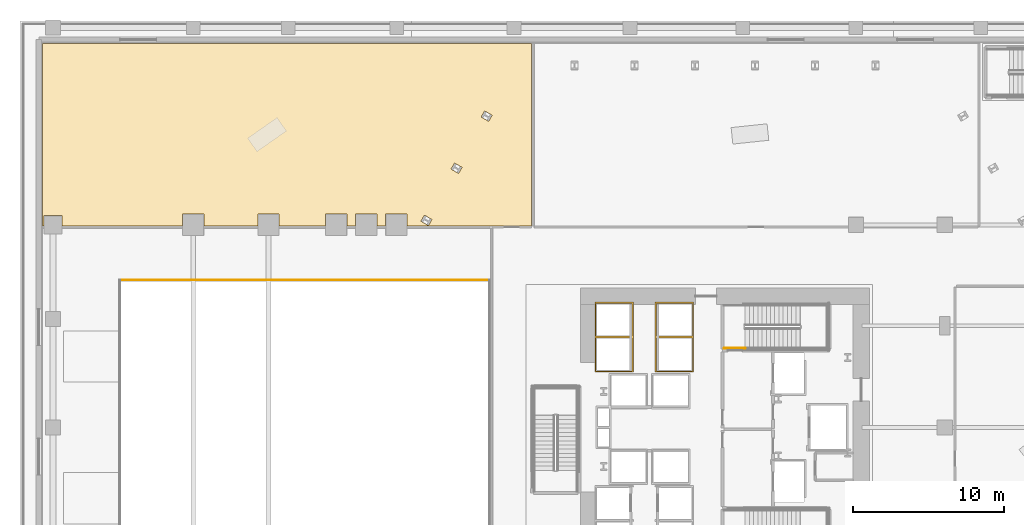
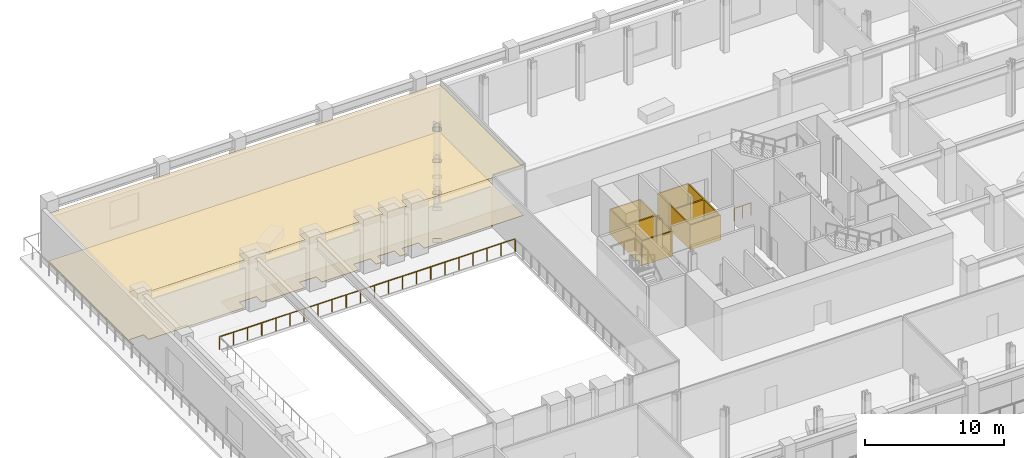
# One storey, part 15 of 19: 4 coverings, 2 railings.
"""IFC4 building model written with IfcOpenShell, lengths in metres."""

from ifc_helpers import new_model, si_unit, direction, frame, origin, origin_2d, place, context, subcontext, project, spatial, polyline, circle, outline, extrude, material, layer, layer_set, type_object, element, save


model = new_model("IFC4")

# Units and contexts
model_context = context("Model", 3, precision=1e-05, world=origin(), true_north=direction((0.0, 1.0)))
body_context = subcontext(model_context, "Body", "Model", "MODEL_VIEW")
ifc_project = project(units=[si_unit("LENGTHUNIT", "METRE"), si_unit("AREAUNIT", "SQUARE_METRE"), si_unit("VOLUMEUNIT", "CUBIC_METRE"), si_unit("PLANEANGLEUNIT", "RADIAN"), si_unit("MASSUNIT", "GRAM", prefix="KILO")], contexts=[model_context])

# Site, building, storey
site_placement = place(None, origin())
site = spatial("IfcSite", under=ifc_project, at=site_placement, CompositionType="ELEMENT")
building_placement = place(site_placement, origin())
building = spatial("IfcBuilding", under=site, at=building_placement, Name="Valkerne Bourse Tower", CompositionType="ELEMENT")
storey_placement = place(building_placement, frame((0.0, 0.0, 5.39990234375)))
storey = spatial("IfcBuildingStorey", under=building, at=storey_placement, Name="L01", CompositionType="ELEMENT", Elevation=5.39990234375)

# Coverings
ifc_material_1 = material(Name="Mineral Fiber Acoustic Ceiling Tile", Category="acoustic")
ifc_layer_1 = layer(ifc_material_1, 0.02490234375)
ifc_layer_set_1 = layer_set([ifc_layer_1], Name="Mineral Fiber Acoustic Ceiling Tile")
covering_type_1 = type_object("IfcCoveringType", Name="COV-CEIL-ACT", PredefinedType="CEILING", material=ifc_layer_set_1)
covering_1_placement = place(storey_placement, frame((0.0, 0.0, 4.210205078125)))
element("IfcCovering", 1, at=covering_1_placement, inside=storey, type_object=covering_type_1, Name="L01 Suspended Ceiling 12", PredefinedType="CEILING", context=body_context, shape_type="SweptSolid", body=[
    extrude(outline(polyline([(1.50390625, 52.49609375), (33.946044921875, 52.49609375), (33.946044921875, 40.384033203125), (25.69189453125, 40.384033203125), (25.69189453125, 41.154052734375), (24.283935546875, 41.154052734375), (24.283935546875, 40.384033203125), (23.695068359375, 40.384033203125), (23.695068359375, 41.154052734375), (22.287109375, 41.154052734375), (22.287109375, 40.384033203125), (21.696044921875, 40.384033203125), (21.696044921875, 41.154052734375), (20.2880859375, 41.154052734375), (20.2880859375, 40.384033203125), (17.2041015625, 40.384033203125), (17.2041015625, 41.154052734375), (15.7958984375, 41.154052734375), (15.7958984375, 40.384033203125), (12.2041015625, 40.384033203125), (12.2041015625, 41.154052734375), (10.7958984375, 41.154052734375), (10.7958984375, 40.384033203125), (2.803955078125, 40.384033203125), (2.803955078125, 41.053955078125), (1.595947265625, 41.053955078125), (1.595947265625, 40.384033203125), (1.50390625, 40.384033203125), (1.50390625, 52.49609375)]), holes=[polyline([(26.62109375, 40.690185546875), (27.12060546875, 40.40185546875), (27.35205078125, 40.802490234375), (26.852294921875, 41.091064453125), (26.62109375, 40.690185546875)]), polyline([(28.850341796875, 44.5517578125), (28.618896484375, 44.15087890625), (29.11865234375, 43.862548828125), (29.35009765625, 44.26318359375), (28.850341796875, 44.5517578125)]), polyline([(30.616943359375, 47.611572265625), (31.11669921875, 47.322998046875), (31.347900390625, 47.723876953125), (30.848388671875, 48.01220703125), (30.616943359375, 47.611572265625)])]), origin(), (0.0, 0.0, 1.0), 0.02490234375),
])
ifc_material_2 = material(Name="Galvanised Painted Steel", Category="steel")
ifc_layer_2 = layer(ifc_material_2, 0.044921875)
ifc_layer_set_2 = layer_set([ifc_layer_2], Name="Galvanised Painted Steel")
covering_type_2 = type_object("IfcCoveringType", Name="COV-FLR-RAF", PredefinedType="FLOORING", material=ifc_layer_set_2)
covering_2_placement = place(storey_placement, origin())
element("IfcCovering", 2, at=covering_2_placement, inside=storey, type_object=covering_type_2, Name="L01 Floor Finish 12", PredefinedType="FLOORING", context=body_context, shape_type="SweptSolid", body=[
    extrude(outline(polyline([(1.50390625, 52.49609375), (33.946044921875, 52.49609375), (33.946044921875, 40.384033203125), (25.69189453125, 40.384033203125), (25.69189453125, 41.154052734375), (24.283935546875, 41.154052734375), (24.283935546875, 40.384033203125), (23.695068359375, 40.384033203125), (23.695068359375, 41.154052734375), (22.287109375, 41.154052734375), (22.287109375, 40.384033203125), (21.696044921875, 40.384033203125), (21.696044921875, 41.154052734375), (20.2880859375, 41.154052734375), (20.2880859375, 40.384033203125), (17.2041015625, 40.384033203125), (17.2041015625, 41.154052734375), (15.7958984375, 41.154052734375), (15.7958984375, 40.384033203125), (12.2041015625, 40.384033203125), (12.2041015625, 41.154052734375), (10.7958984375, 41.154052734375), (10.7958984375, 40.384033203125), (2.803955078125, 40.384033203125), (2.803955078125, 41.053955078125), (1.595947265625, 41.053955078125), (1.595947265625, 40.384033203125), (1.50390625, 40.384033203125), (1.50390625, 52.49609375)]), holes=[polyline([(26.62109375, 40.690185546875), (27.12060546875, 40.40185546875), (27.35205078125, 40.802490234375), (26.852294921875, 41.091064453125), (26.62109375, 40.690185546875)]), polyline([(28.850341796875, 44.5517578125), (28.618896484375, 44.15087890625), (29.11865234375, 43.862548828125), (29.35009765625, 44.26318359375), (28.850341796875, 44.5517578125)]), polyline([(30.616943359375, 47.611572265625), (31.11669921875, 47.322998046875), (31.347900390625, 47.723876953125), (30.848388671875, 48.01220703125), (30.616943359375, 47.611572265625)])]), origin(), (0.0, 0.0, 1.0), 0.045166015625),
])
ifc_material_3 = material(Name="Gypsum Shaftwall Liner Board", Category="gypsum")
ifc_layer_3 = layer(ifc_material_3, 0.080078125)
ifc_layer_set_3 = layer_set([ifc_layer_3], Name="Gypsum Shaftwall Liner Board")
covering_type_3 = type_object("IfcCoveringType", Name="COV-SHF-CLAD", PredefinedType="CLADDING", material=ifc_layer_set_3)
covering_3_placement = place(storey_placement, origin())
element("IfcCovering", 3, at=covering_3_placement, inside=storey, type_object=covering_type_3, Name="L01 Hoistway & Riser Shaftwall Liner 05", PredefinedType="CLADDING", context=body_context, shape_type="SweptSolid", body=[
    extrude(outline(polyline([(38.169921875, 35.330078125), (40.72998046875, 35.330078125), (40.72998046875, 33.030029296875), (40.72998046875, 32.969970703125), (40.72998046875, 30.669921875), (38.169921875, 30.669921875), (38.169921875, 32.969970703125), (38.169921875, 33.030029296875), (38.169921875, 35.330078125)]), holes=[polyline([(38.260009765625, 32.93994140625), (38.260009765625, 30.760009765625), (40.639892578125, 30.760009765625), (40.639892578125, 32.93994140625), (38.260009765625, 32.93994140625)]), polyline([(38.260009765625, 35.239990234375), (38.260009765625, 33.06005859375), (40.639892578125, 33.06005859375), (40.639892578125, 35.239990234375), (38.260009765625, 35.239990234375)])]), origin(), (0.0, 0.0, 1.0), 2.18017578125),
])
covering_4_placement = place(storey_placement, origin())
element("IfcCovering", 4, at=covering_4_placement, inside=storey, type_object=covering_type_3, Name="L01 Hoistway & Riser Shaftwall Liner 11", PredefinedType="CLADDING", context=body_context, shape_type="SweptSolid", body=[
    extrude(outline(polyline([(44.72998046875, 35.330078125), (44.72998046875, 33.030029296875), (44.72998046875, 32.969970703125), (44.72998046875, 30.669921875), (42.169921875, 30.669921875), (42.169921875, 32.969970703125), (42.169921875, 33.030029296875), (42.169921875, 35.330078125), (44.72998046875, 35.330078125)]), holes=[polyline([(42.260009765625, 30.760009765625), (44.639892578125, 30.760009765625), (44.639892578125, 32.93994140625), (42.260009765625, 32.93994140625), (42.260009765625, 30.760009765625)]), polyline([(42.260009765625, 33.06005859375), (44.639892578125, 33.06005859375), (44.639892578125, 35.239990234375), (42.260009765625, 35.239990234375), (42.260009765625, 33.06005859375)])]), origin(), (0.0, 0.0, 1.0), 2.18017578125),
])

# Railings
ifc_material_4 = material(Name="Laminated Tempered Safety Glass", Category="glass")
railing_type_1 = type_object("IfcRailingType", Name="RLG-GUARD-1150", PredefinedType="BALUSTRADE", material=ifc_material_4)
railing_1_placement = place(storey_placement, frame((31.179931640625, 36.780029296875, 0.0)))
element("IfcRailing", 5, at=railing_1_placement, inside=storey, type_object=railing_type_1, Name="L01 Exchange Hall Atrium Guard 3", PredefinedType="BALUSTRADE", context=body_context, shape_type="SweptSolid", body=[
    extrude(circle(Radius=0.02392578125, at=origin_2d()), frame((0.0, 0.0, 1.1259765625), z_axis=(-1.0, 0.0, 0.0), x_axis=(0.0, -1.0, 0.0)), (0.0, 0.0, 1.0), 24.559814453125),
    extrude(circle(Radius=0.02099609375, at=origin_2d()), origin(), (0.0, 0.0, 1.0), 1.101806640625),
    extrude(circle(Radius=0.02099609375, at=origin_2d()), frame((-1.16943359375, 0.0, 0.0)), (0.0, 0.0, 1.0), 1.101806640625),
    extrude(circle(Radius=0.02099609375, at=origin_2d()), frame((-2.339111328125, 0.0, 0.0)), (0.0, 0.0, 1.0), 1.101806640625),
    extrude(circle(Radius=0.02099609375, at=origin_2d()), frame((-3.508544921875, 0.0, 0.0)), (0.0, 0.0, 1.0), 1.101806640625),
    extrude(circle(Radius=0.02099609375, at=origin_2d()), frame((-4.677978515625, 0.0, 0.0)), (0.0, 0.0, 1.0), 1.101806640625),
    extrude(circle(Radius=0.02099609375, at=origin_2d()), frame((-5.84765625, 0.0, 0.0)), (0.0, 0.0, 1.0), 1.101806640625),
    extrude(circle(Radius=0.02099609375, at=origin_2d()), frame((-7.01708984375, 0.0, 0.0)), (0.0, 0.0, 1.0), 1.101806640625),
    extrude(circle(Radius=0.02099609375, at=origin_2d()), frame((-8.1865234375, 0.0, 0.0)), (0.0, 0.0, 1.0), 1.101806640625),
    extrude(circle(Radius=0.02099609375, at=origin_2d()), frame((-9.356201171875, 0.0, 0.0)), (0.0, 0.0, 1.0), 1.101806640625),
    extrude(circle(Radius=0.02099609375, at=origin_2d()), frame((-10.525634765625, 0.0, 0.0)), (0.0, 0.0, 1.0), 1.101806640625),
    extrude(circle(Radius=0.02099609375, at=origin_2d()), frame((-11.695068359375, 0.0, 0.0)), (0.0, 0.0, 1.0), 1.101806640625),
    extrude(circle(Radius=0.02099609375, at=origin_2d()), frame((-12.86474609375, 0.0, 0.0)), (0.0, 0.0, 1.0), 1.101806640625),
    extrude(circle(Radius=0.02099609375, at=origin_2d()), frame((-14.0341796875, 0.0, 0.0)), (0.0, 0.0, 1.0), 1.101806640625),
    extrude(circle(Radius=0.02099609375, at=origin_2d()), frame((-15.20361328125, 0.0, 0.0)), (0.0, 0.0, 1.0), 1.101806640625),
    extrude(circle(Radius=0.02099609375, at=origin_2d()), frame((-16.373291015625, 0.0, 0.0)), (0.0, 0.0, 1.0), 1.101806640625),
    extrude(circle(Radius=0.02099609375, at=origin_2d()), frame((-17.542724609375, 0.0, 0.0)), (0.0, 0.0, 1.0), 1.101806640625),
    extrude(circle(Radius=0.02099609375, at=origin_2d()), frame((-18.712158203125, 0.0, 0.0)), (0.0, 0.0, 1.0), 1.101806640625),
    extrude(circle(Radius=0.02099609375, at=origin_2d()), frame((-19.8818359375, 0.0, 0.0)), (0.0, 0.0, 1.0), 1.101806640625),
    extrude(circle(Radius=0.02099609375, at=origin_2d()), frame((-21.05126953125, 0.0, 0.0)), (0.0, 0.0, 1.0), 1.101806640625),
    extrude(circle(Radius=0.02099609375, at=origin_2d()), frame((-22.220703125, 0.0, 0.0)), (0.0, 0.0, 1.0), 1.101806640625),
    extrude(circle(Radius=0.02099609375, at=origin_2d()), frame((-23.390380859375, 0.0, 0.0)), (0.0, 0.0, 1.0), 1.101806640625),
    extrude(circle(Radius=0.02099609375, at=origin_2d()), frame((-24.559814453125, 0.0, 0.0)), (0.0, 0.0, 1.0), 1.101806640625),
])
railing_type_2 = type_object("IfcRailingType", Name="RLG-ST-GUARD-1120", PredefinedType="GUARDRAIL", material=ifc_material_2)
railing_2_placement = place(storey_placement, frame((46.75, 32.25, 0.0)))
element("IfcRailing", 6, at=railing_2_placement, inside=storey, type_object=railing_type_2, Name="L01 ST-2 stair guard 8", PredefinedType="GUARDRAIL", context=body_context, shape_type="SweptSolid", body=[
    extrude(circle(Radius=0.02392578125, at=origin_2d()), frame((0.0, 0.0, 1.09619140625), z_axis=(1.0, 0.0, 0.0), x_axis=(0.0, 1.0, 0.0)), (0.0, 0.0, 1.0), 1.39990234375),
    extrude(circle(Radius=0.02099609375, at=origin_2d()), origin(), (0.0, 0.0, 1.0), 1.072021484375),
    extrude(circle(Radius=0.02099609375, at=origin_2d()), frame((0.699951171875, 0.0, 0.0)), (0.0, 0.0, 1.0), 1.072021484375),
    extrude(circle(Radius=0.02099609375, at=origin_2d()), frame((1.39990234375, 0.0, 0.0)), (0.0, 0.0, 1.0), 1.072021484375),
])

save(model, "model.ifc")
